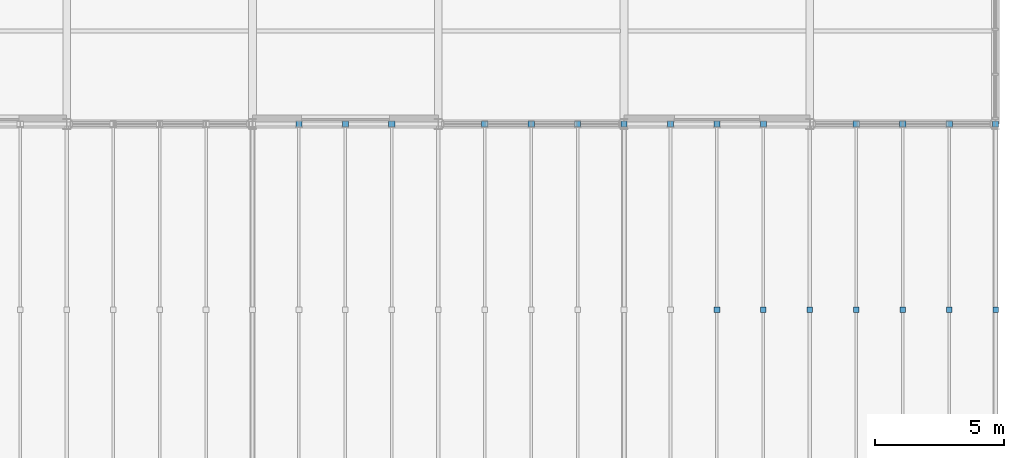
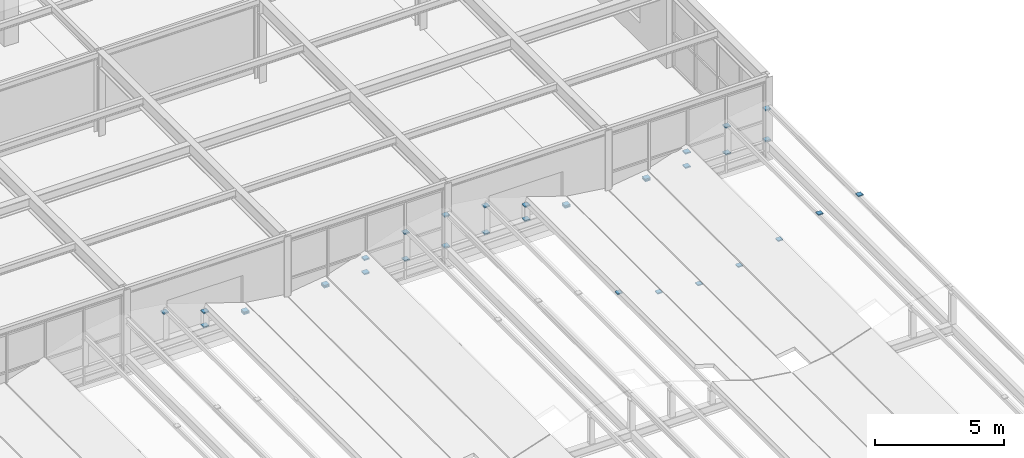
# One storey, part 78 of 83: 34 discrete accessories.
"""IFC4 building model written with IfcOpenShell, lengths in metres."""

from ifc_helpers import new_model, si_unit, direction, frame, origin, origin_2d, place, context, subcontext, project, spatial, rectangle, extrude, material, type_object, element, save


model = new_model("IFC4")

# Units and contexts
model_context = context("Model", 3, precision=1e-05, world=origin(), true_north=direction((0.0, 1.0)))
body_context = subcontext(model_context, "Body", "Model", "MODEL_VIEW")
ifc_project = project(units=[si_unit("LENGTHUNIT", "METRE"), si_unit("AREAUNIT", "SQUARE_METRE"), si_unit("VOLUMEUNIT", "CUBIC_METRE"), si_unit("PLANEANGLEUNIT", "RADIAN"), si_unit("MASSUNIT", "GRAM", prefix="KILO")], contexts=[model_context])

# Site, building, storey
site_placement = place(None, origin())
site = spatial("IfcSite", under=ifc_project, at=site_placement, CompositionType="ELEMENT")
building_placement = place(site_placement, origin())
building = spatial("IfcBuilding", under=site, at=building_placement, Name="Leyfeld Transit Interchange", CompositionType="ELEMENT")
storey_placement = place(building_placement, frame((0.0, 0.0, 5.39990234375)))
storey = spatial("IfcBuildingStorey", under=building, at=storey_placement, Name="L01", CompositionType="ELEMENT", Elevation=5.39990234375)

# Discrete accessories
ifc_material = material(Name="Steel S355J2", Category="steel")
discrete_accessory_type = type_object("IfcDiscreteAccessoryType", Name="ACC-BRK-PUR", PredefinedType="BRACKET", material=ifc_material)
for number, where, z_axis, x_axis, name in (
    (1, (160.199951171875, 43.199951171875, 2.1298828125), (0.0, 0.0, 1.0), (1.0, 0.0, 0.0), "Riser Post Cap Shoe 222"),
    (2, (162.0, 43.199951171875, 0.85009765625), (0.0, 0.0, 1.0), (1.0, 0.0, 0.0), "Riser Post Base Shoe 229"),
    (3, (162.0, 43.199951171875, 1.526611328125), (0.0, 0.0, 1.0), (1.0, 0.0, 0.0), "Riser Post Cap Shoe 229"),
    (4, (163.800048828125, 43.199951171875, 0.85009765625), (0.0, 0.0, 1.0), (1.0, 0.0, 0.0), "Riser Post Base Shoe 236"),
    (5, (163.800048828125, 43.199951171875, 0.9248046875), (0.0, 0.0, 1.0), (1.0, 0.0, 0.0), "Riser Post Cap Shoe 236"),
    (6, (167.39990234375, 43.199951171875, 0.85009765625), (0.0, 0.0, 1.0), (1.0, 0.0, 0.0), "Riser Post Base Shoe 246"),
    (7, (167.39990234375, 43.199951171875, 0.9248046875), (0.0, 0.0, 1.0), (1.0, 0.0, 0.0), "Riser Post Cap Shoe 246"),
    (8, (169.199951171875, 43.199951171875, 0.85009765625), (0.0, 0.0, 1.0), (1.0, 0.0, 0.0), "Riser Post Base Shoe 253"),
    (9, (169.199951171875, 43.199951171875, 1.526611328125), (0.0, 0.0, 1.0), (1.0, 0.0, 0.0), "Riser Post Cap Shoe 253"),
    (10, (171.0, 43.199951171875, 0.85009765625), (0.0, 0.0, 1.0), (1.0, 0.0, 0.0), "Riser Post Base Shoe 260"),
    (11, (171.0, 43.199951171875, 2.1298828125), (0.0, 0.0, 1.0), (1.0, 0.0, 0.0), "Riser Post Cap Shoe 260"),
    (12, (172.800048828125, 43.199951171875, 0.85009765625), (0.0, 0.0, 1.0), (1.0, 0.0, 0.0), "Riser Post Base Shoe 267"),
    (13, (172.800048828125, 43.199951171875, 2.318115234375), (0.0, 0.0, 1.0), (1.0, 0.0, 0.0), "Riser Post Cap Shoe 267"),
    (14, (174.60009765625, 43.199951171875, 0.85009765625), (0.0, 0.0, 1.0), (1.0, 0.0, 0.0), "Riser Post Base Shoe 274"),
    (15, (174.60009765625, 43.199951171875, 2.1298828125), (0.0, 0.0, 1.0), (1.0, 0.0, 0.0), "Riser Post Cap Shoe 274"),
):
    element("IfcDiscreteAccessory", number, at=place(storey_placement, frame(where, z_axis=z_axis, x_axis=x_axis)), inside=storey, type_object=discrete_accessory_type, Name=name, PredefinedType="BRACKET", context=body_context, shape_type="SweptSolid", body=[
        extrude(rectangle(XDim=0.239990234375, YDim=0.239990234375, at=origin_2d()), origin(), (0.0, 0.0, 1.0), 0.06005859375),
    ])
discrete_accessory_1_placement = place(storey_placement, frame((176.39990234375, 36.0, 1.74658203125), z_axis=(0.0, 0.0, 1.0), x_axis=(1.0, 0.0, 0.0)))
element("IfcDiscreteAccessory", 16, at=discrete_accessory_1_placement, inside=storey, type_object=discrete_accessory_type, Name="Wave Shell Purlin Cleat 279", PredefinedType="BRACKET", context=body_context, shape_type="SweptSolid", body=[
    extrude(rectangle(XDim=0.219970703125, YDim=0.219970703125, at=origin_2d()), origin(), (0.0, 0.0, 1.0), 0.050048828125),
])
for number, where, z_axis, x_axis, name in (
    (17, (176.39990234375, 43.199951171875, 0.85009765625), (0.0, 0.0, 1.0), (1.0, 0.0, 0.0), "Riser Post Base Shoe 281"),
    (18, (176.39990234375, 43.199951171875, 1.526611328125), (0.0, 0.0, 1.0), (1.0, 0.0, 0.0), "Riser Post Cap Shoe 281"),
):
    element("IfcDiscreteAccessory", number, at=place(storey_placement, frame(where, z_axis=z_axis, x_axis=x_axis)), inside=storey, type_object=discrete_accessory_type, Name=name, PredefinedType="BRACKET", context=body_context, shape_type="SweptSolid", body=[
        extrude(rectangle(XDim=0.239990234375, YDim=0.239990234375, at=origin_2d()), origin(), (0.0, 0.0, 1.0), 0.06005859375),
    ])
discrete_accessory_2_placement = place(storey_placement, frame((178.199951171875, 36.0, 1.14453125), z_axis=(0.0, 0.0, 1.0), x_axis=(1.0, 0.0, 0.0)))
element("IfcDiscreteAccessory", 19, at=discrete_accessory_2_placement, inside=storey, type_object=discrete_accessory_type, Name="Wave Shell Purlin Cleat 286", PredefinedType="BRACKET", context=body_context, shape_type="SweptSolid", body=[
    extrude(rectangle(XDim=0.219970703125, YDim=0.219970703125, at=origin_2d()), origin(), (0.0, 0.0, 1.0), 0.050048828125),
])
for number, where, z_axis, x_axis, name in (
    (20, (178.199951171875, 43.199951171875, 0.85009765625), (0.0, 0.0, 1.0), (1.0, 0.0, 0.0), "Riser Post Base Shoe 288"),
    (21, (178.199951171875, 43.199951171875, 0.9248046875), (0.0, 0.0, 1.0), (1.0, 0.0, 0.0), "Riser Post Cap Shoe 288"),
):
    element("IfcDiscreteAccessory", number, at=place(storey_placement, frame(where, z_axis=z_axis, x_axis=x_axis)), inside=storey, type_object=discrete_accessory_type, Name=name, PredefinedType="BRACKET", context=body_context, shape_type="SweptSolid", body=[
        extrude(rectangle(XDim=0.239990234375, YDim=0.239990234375, at=origin_2d()), origin(), (0.0, 0.0, 1.0), 0.06005859375),
    ])
for number, where, z_axis, x_axis, name in (
    (22, (180.0, 36.0, 0.90234375), (0.0, 0.0, 1.0), (1.0, 0.0, 0.0), "Wave Shell Purlin Cleat 291"),
    (23, (181.800048828125, 36.0, 1.14453125), (0.0, 0.0, 1.0), (1.0, 0.0, 0.0), "Wave Shell Purlin Cleat 296"),
):
    element("IfcDiscreteAccessory", number, at=place(storey_placement, frame(where, z_axis=z_axis, x_axis=x_axis)), inside=storey, type_object=discrete_accessory_type, Name=name, PredefinedType="BRACKET", context=body_context, shape_type="SweptSolid", body=[
        extrude(rectangle(XDim=0.219970703125, YDim=0.219970703125, at=origin_2d()), origin(), (0.0, 0.0, 1.0), 0.050048828125),
    ])
for number, where, z_axis, x_axis, name in (
    (24, (181.800048828125, 43.199951171875, 0.85009765625), (0.0, 0.0, 1.0), (1.0, 0.0, 0.0), "Riser Post Base Shoe 298"),
    (25, (181.800048828125, 43.199951171875, 0.9248046875), (0.0, 0.0, 1.0), (1.0, 0.0, 0.0), "Riser Post Cap Shoe 298"),
):
    element("IfcDiscreteAccessory", number, at=place(storey_placement, frame(where, z_axis=z_axis, x_axis=x_axis)), inside=storey, type_object=discrete_accessory_type, Name=name, PredefinedType="BRACKET", context=body_context, shape_type="SweptSolid", body=[
        extrude(rectangle(XDim=0.239990234375, YDim=0.239990234375, at=origin_2d()), origin(), (0.0, 0.0, 1.0), 0.06005859375),
    ])
discrete_accessory_3_placement = place(storey_placement, frame((183.60009765625, 36.0, 1.74658203125), z_axis=(0.0, 0.0, 1.0), x_axis=(1.0, 0.0, 0.0)))
element("IfcDiscreteAccessory", 26, at=discrete_accessory_3_placement, inside=storey, type_object=discrete_accessory_type, Name="Wave Shell Purlin Cleat 303", PredefinedType="BRACKET", context=body_context, shape_type="SweptSolid", body=[
    extrude(rectangle(XDim=0.219970703125, YDim=0.219970703125, at=origin_2d()), origin(), (0.0, 0.0, 1.0), 0.050048828125),
])
for number, where, z_axis, x_axis, name in (
    (27, (183.60009765625, 43.199951171875, 0.85009765625), (0.0, 0.0, 1.0), (1.0, 0.0, 0.0), "Riser Post Base Shoe 305"),
    (28, (183.60009765625, 43.199951171875, 1.526611328125), (0.0, 0.0, 1.0), (1.0, 0.0, 0.0), "Riser Post Cap Shoe 305"),
):
    element("IfcDiscreteAccessory", number, at=place(storey_placement, frame(where, z_axis=z_axis, x_axis=x_axis)), inside=storey, type_object=discrete_accessory_type, Name=name, PredefinedType="BRACKET", context=body_context, shape_type="SweptSolid", body=[
        extrude(rectangle(XDim=0.239990234375, YDim=0.239990234375, at=origin_2d()), origin(), (0.0, 0.0, 1.0), 0.06005859375),
    ])
discrete_accessory_4_placement = place(storey_placement, frame((185.39990234375, 36.0, 2.349609375), z_axis=(0.0, 0.0, 1.0), x_axis=(1.0, 0.0, 0.0)))
element("IfcDiscreteAccessory", 29, at=discrete_accessory_4_placement, inside=storey, type_object=discrete_accessory_type, Name="Wave Shell Purlin Cleat 310", PredefinedType="BRACKET", context=body_context, shape_type="SweptSolid", body=[
    extrude(rectangle(XDim=0.219970703125, YDim=0.219970703125, at=origin_2d()), origin(), (0.0, 0.0, 1.0), 0.050048828125),
])
for number, where, z_axis, x_axis, name in (
    (30, (185.39990234375, 43.199951171875, 0.85009765625), (0.0, 0.0, 1.0), (1.0, 0.0, 0.0), "Riser Post Base Shoe 312"),
    (31, (185.39990234375, 43.199951171875, 2.1298828125), (0.0, 0.0, 1.0), (1.0, 0.0, 0.0), "Riser Post Cap Shoe 312"),
):
    element("IfcDiscreteAccessory", number, at=place(storey_placement, frame(where, z_axis=z_axis, x_axis=x_axis)), inside=storey, type_object=discrete_accessory_type, Name=name, PredefinedType="BRACKET", context=body_context, shape_type="SweptSolid", body=[
        extrude(rectangle(XDim=0.239990234375, YDim=0.239990234375, at=origin_2d()), origin(), (0.0, 0.0, 1.0), 0.06005859375),
    ])
discrete_accessory_5_placement = place(storey_placement, frame((187.199951171875, 36.0, 2.60791015625), z_axis=(0.0, 0.0, 1.0), x_axis=(1.0, 0.0, 0.0)))
element("IfcDiscreteAccessory", 32, at=discrete_accessory_5_placement, inside=storey, type_object=discrete_accessory_type, Name="Wave Shell Purlin Cleat 317", PredefinedType="BRACKET", context=body_context, shape_type="SweptSolid", body=[
    extrude(rectangle(XDim=0.219970703125, YDim=0.219970703125, at=origin_2d()), origin(), (0.0, 0.0, 1.0), 0.050048828125),
])
for number, where, z_axis, x_axis, name in (
    (33, (187.199951171875, 43.199951171875, 0.85009765625), (0.0, 0.0, 1.0), (1.0, 0.0, 0.0), "Riser Post Base Shoe 319"),
    (34, (187.199951171875, 43.199951171875, 2.318115234375), (0.0, 0.0, 1.0), (1.0, 0.0, 0.0), "Riser Post Cap Shoe 319"),
):
    element("IfcDiscreteAccessory", number, at=place(storey_placement, frame(where, z_axis=z_axis, x_axis=x_axis)), inside=storey, type_object=discrete_accessory_type, Name=name, PredefinedType="BRACKET", context=body_context, shape_type="SweptSolid", body=[
        extrude(rectangle(XDim=0.239990234375, YDim=0.239990234375, at=origin_2d()), origin(), (0.0, 0.0, 1.0), 0.06005859375),
    ])

save(model, "model.ifc")
